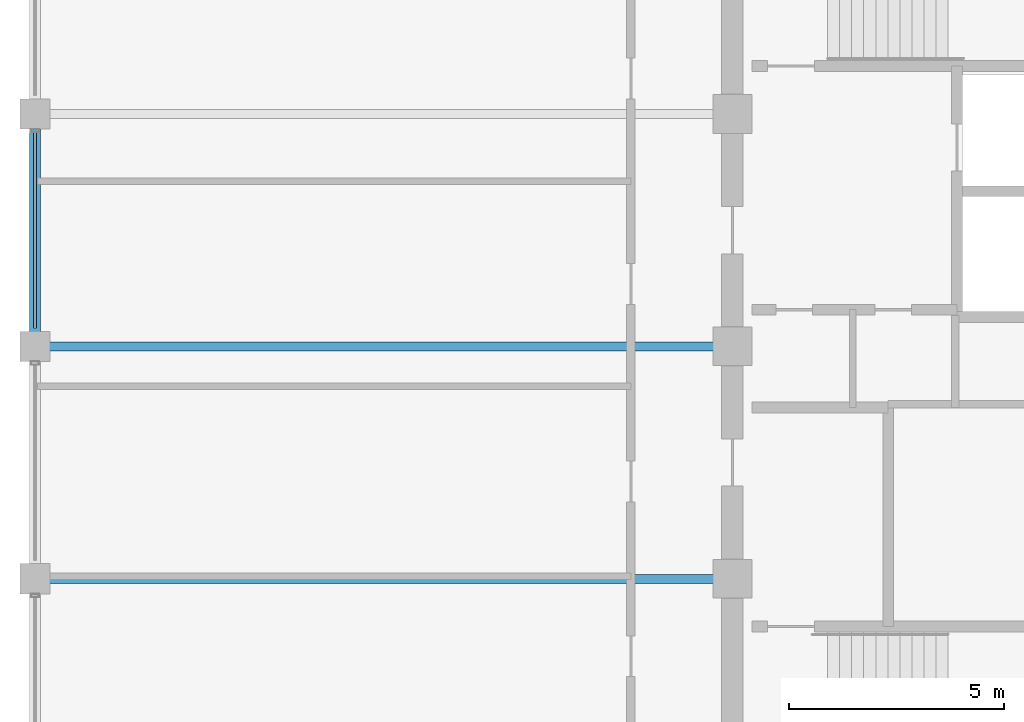
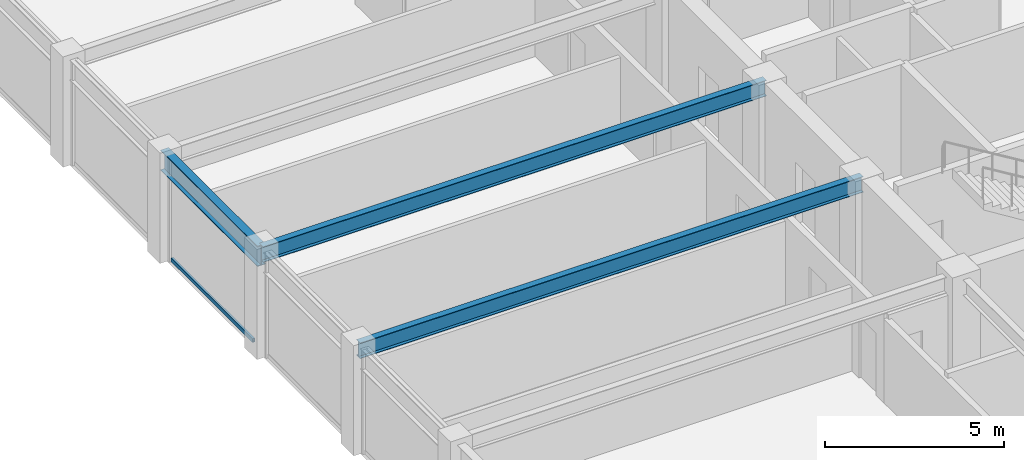
# One storey, part 9 of 31: 3 beams, 1 member, 1 element without a shape of its own.
"""IFC4 building model written with IfcOpenShell, lengths in metres."""

import ifcopenshell
import ifcopenshell.guid

model = None  # the IFC model being written
_history = None  # IfcOwnerHistory: only IFC2X3 demands one
_inside = {}  # id of a spatial element -> (the spatial element, [elements in it])
_under = {}  # id of a project, library or spatial element -> (it, [spatial elements below it])
_declared = {}  # id of a project -> (the project, [libraries it declares])
_typed = {}  # id of a type object -> (the type object, [elements of that type])
_made_of = {}  # id of a material, layer set ... -> (it, [elements and type objects made of it])


def new_model(schema):
    """Start an empty IFC model of exactly this schema.

    Asked for "IFC4X3", IfcOpenShell would pick the latest addendum, in which some entities
    have other attributes; the version numbers below select the first issue.
    IFC2X3 requires an IfcOwnerHistory on every rooted entity: one is made here for all.
    """
    global model, _history
    if schema == "IFC4X3":
        model = ifcopenshell.file(schema_version=(4, 3, 0, 0))
    else:
        model = ifcopenshell.file(schema=schema)
    _inside.clear()
    _under.clear()
    _declared.clear()
    _typed.clear()
    _made_of.clear()
    _history = None
    if model.schema == "IFC2X3":
        org = make("IfcOrganization", Name="unknown")
        user = make(
            "IfcPersonAndOrganization",
            ThePerson=make("IfcPerson", FamilyName="unknown"),
            TheOrganization=org,
        )
        app = make(
            "IfcApplication",
            ApplicationDeveloper=org,
            Version="unknown",
            ApplicationFullName="unknown",
            ApplicationIdentifier="unknown",
        )
        _history = make(
            "IfcOwnerHistory",
            OwningUser=user,
            OwningApplication=app,
            ChangeAction="ADDED",
            CreationDate=0,
        )
    return model


def make(cls, **values):
    """One entity of the class cls with the attributes given. An attribute that is None is left unset."""
    return model.create_entity(
        cls, **{name: value for name, value in values.items() if value is not None}
    )


def rooted(cls, **values):
    """An entity with a GlobalId (a new one), such as an element, a storey or a relation."""
    return make(cls, GlobalId=ifcopenshell.guid.new(), OwnerHistory=_history, **values)


def si_unit(unit_type, name, prefix=None):
    """IfcSIUnit, for example si_unit("LENGTHUNIT", "METRE", prefix="MILLI")."""
    return make("IfcSIUnit", UnitType=unit_type, Prefix=prefix, Name=name)


def assignment(units):
    """IfcUnitAssignment: the units of a project."""
    return None if units is None else make("IfcUnitAssignment", Units=units)


def point(xyz):
    """IfcCartesianPoint."""
    return None if xyz is None else make("IfcCartesianPoint", Coordinates=xyz)


def direction(xyz):
    """IfcDirection."""
    return None if xyz is None else make("IfcDirection", DirectionRatios=xyz)


def frame(location, z_axis=None, x_axis=None):
    """IfcAxis2Placement3D, a coordinate frame: its origin and axes. An axis left out is left unset."""
    return make(
        "IfcAxis2Placement3D",
        Location=point(location),
        Axis=direction(z_axis),
        RefDirection=direction(x_axis),
    )


def frame_2d(location, x_axis=None):
    """IfcAxis2Placement2D, a coordinate frame in the plane: its origin and x axis."""
    return make(
        "IfcAxis2Placement2D", Location=point(location), RefDirection=direction(x_axis)
    )


def origin():
    """The frame at (0, 0, 0) with its axes left unset."""
    return frame((0.0, 0.0, 0.0))


def origin_2d():
    """The frame at (0, 0) in the plane with its x axis left unset."""
    return frame_2d((0.0, 0.0))


def place(relative_to, where):
    """IfcLocalPlacement: puts the frame where relative to a parent placement (None: the world)."""
    return make(
        "IfcLocalPlacement", PlacementRelTo=relative_to, RelativePlacement=where
    )


def context(
    kind, dimensions, precision=None, world=None, true_north=None, identifier=None
):
    """IfcGeometricRepresentationContext, for example the 3D "Model" context."""
    return make(
        "IfcGeometricRepresentationContext",
        ContextIdentifier=identifier,
        ContextType=kind,
        CoordinateSpaceDimension=dimensions,
        Precision=precision,
        WorldCoordinateSystem=world,
        TrueNorth=true_north,
    )


def subcontext(parent, identifier, kind, view, scale=None):
    """IfcGeometricRepresentationSubContext, for example "Body" below "Model"."""
    return make(
        "IfcGeometricRepresentationSubContext",
        ContextIdentifier=identifier,
        ContextType=kind,
        ParentContext=parent,
        TargetScale=scale,
        TargetView=view,
    )


def project(units=None, contexts=None):
    """IfcProject with its units and contexts."""
    return rooted(
        "IfcProject",
        Name="project",
        RepresentationContexts=contexts,
        UnitsInContext=assignment(units),
    )


def spatial(cls, under=None, at=None, **own):
    """A site, building, storey or space (cls), placed at a placement, below another one or the project."""
    s = rooted(cls, ObjectPlacement=at, **own)
    if under is not None:
        _under.setdefault(under.id(), (under, []))[1].append(s)
    return s


def profile(cls, at=None, kind="AREA", **sizes):
    """A parametric profile (cls). Its sizes go by their IFC names, for example OverallWidth=200.0."""
    return make(cls, ProfileType=kind, Position=at, **sizes)


def hollow_rectangle(**sizes):
    """IfcRectangleHollowProfileDef."""
    return profile("IfcRectangleHollowProfileDef", **sizes)


def i_section(**sizes):
    """IfcIShapeProfileDef."""
    return profile("IfcIShapeProfileDef", **sizes)


def extrude(swept, where, along, depth):
    """IfcExtrudedAreaSolid: the profile swept, set in the frame where, extruded along a direction by depth."""
    return make(
        "IfcExtrudedAreaSolid",
        SweptArea=swept,
        Position=where,
        ExtrudedDirection=direction(along),
        Depth=depth,
    )


def shape(context_of_items, identifier, shape_type, items):
    """IfcShapeRepresentation: the items that make up one representation, for example the "Body"."""
    return make(
        "IfcShapeRepresentation",
        ContextOfItems=context_of_items,
        RepresentationIdentifier=identifier,
        RepresentationType=shape_type,
        Items=items,
    )


def material(Name=None, Category=None):
    """IfcMaterial."""
    return make("IfcMaterial", Name=Name, Category=Category)


def layer(
    of_material, thickness, ventilated=None, Name=None, Category=None, Priority=None
):
    """IfcMaterialLayer: one layer of a wall or slab, of a material (None: an air gap)."""
    return make(
        "IfcMaterialLayer",
        Material=of_material,
        LayerThickness=thickness,
        IsVentilated=ventilated,
        Name=Name,
        Category=Category,
        Priority=Priority,
    )


def layer_set(layers, Name=None):
    """IfcMaterialLayerSet."""
    return make("IfcMaterialLayerSet", MaterialLayers=layers, LayerSetName=Name)


def material_profile(
    of_material, cross_section, Name=None, Category=None, Priority=None
):
    """IfcMaterialProfile: a cross section and its material."""
    return make(
        "IfcMaterialProfile",
        Name=Name,
        Material=of_material,
        Profile=cross_section,
        Priority=Priority,
        Category=Category,
    )


def profile_set(profiles, Name=None, composite=None):
    """IfcMaterialProfileSet."""
    return make(
        "IfcMaterialProfileSet",
        Name=Name,
        MaterialProfiles=profiles,
        CompositeProfile=composite,
    )


def made_of(thing, what):
    """Note that an element or type object is made of a material, layer set ...; save() writes the relation."""
    if what is not None:
        _made_of.setdefault(what.id(), (what, []))[1].append(thing)
    return thing


def type_object(cls, material=None, **own):
    """A type object (cls), such as IfcWallType, which elements share."""
    return made_of(rooted(cls, **own), material)


def element(
    cls,
    number,
    at=None,
    inside=None,
    cuts=None,
    type_object=None,
    material=None,
    context=None,
    identifier="Body",
    shape_type=None,
    held_by="IfcProductDefinitionShape",
    body=None,
    shapes=None,
    **own,
):
    """One element of the class cls, such as IfcWall. Its Tag is "e" and its number.

    at: its placement. inside: the storey or other place that contains it. cuts: it is an
    opening in that element (IfcRelVoidsElement). A single representation is given by context,
    identifier, shape_type and body (its items); several are given by shapes. held_by: the class
    of the entity that holds the representations. save() writes the other relations.
    """
    e = rooted(cls, Tag="e%d" % number, ObjectPlacement=at, **own)
    if body is not None:
        shapes = [shape(context, identifier, shape_type, body)]
    if shapes is not None:
        e.Representation = make(held_by, Representations=shapes)
    if inside is not None:
        _inside.setdefault(inside.id(), (inside, []))[1].append(e)
    if cuts is not None:
        rooted(
            "IfcRelVoidsElement", RelatingBuildingElement=cuts, RelatedOpeningElement=e
        )
    if type_object is not None:
        _typed.setdefault(type_object.id(), (type_object, []))[1].append(e)
    return made_of(e, material)


def aggregate(whole, parts):
    """IfcRelAggregates: a whole, such as a stair, and the parts it consists of."""
    return rooted("IfcRelAggregates", RelatingObject=whole, RelatedObjects=parts)


def save(model, path):
    """Write the relations noted so far, then the file.

    IfcRelAggregates (storeys below a building ...), IfcRelContainedInSpatialStructure (elements
    in a storey), IfcRelDefinesByType, IfcRelAssociatesMaterial and IfcRelDeclares: one each for
    every whole, place, type object, material and project.
    """
    for whole, parts in _under.values():
        aggregate(whole, parts)
    for where, things in _inside.values():
        rooted(
            "IfcRelContainedInSpatialStructure",
            RelatedElements=things,
            RelatingStructure=where,
        )
    for kind, things in _typed.values():
        rooted("IfcRelDefinesByType", RelatedObjects=things, RelatingType=kind)
    for what, things in _made_of.values():
        rooted("IfcRelAssociatesMaterial", RelatedObjects=things, RelatingMaterial=what)
    for by, libraries in _declared.values():
        rooted("IfcRelDeclares", RelatingContext=by, RelatedDefinitions=libraries)
    model.write(path)


model = new_model("IFC4")

# Units and contexts
model_context = context("Model", 3, precision=1e-05, world=origin(), true_north=direction((0.0, 1.0)))
body_context = subcontext(model_context, "Body", "Model", "MODEL_VIEW")
ifc_project = project(units=[si_unit("LENGTHUNIT", "METRE"), si_unit("AREAUNIT", "SQUARE_METRE"), si_unit("VOLUMEUNIT", "CUBIC_METRE"), si_unit("PLANEANGLEUNIT", "RADIAN"), si_unit("MASSUNIT", "GRAM", prefix="KILO")], contexts=[model_context])

# Site, building, storey
site_placement = place(None, origin())
site = spatial("IfcSite", under=ifc_project, at=site_placement, CompositionType="ELEMENT")
building_placement = place(site_placement, origin())
building = spatial("IfcBuilding", under=site, at=building_placement, Name="Surkhivell Harbour Commons", CompositionType="ELEMENT")
storey_placement = place(building_placement, frame((0.0, 0.0, 330.0)))
storey = spatial("IfcBuildingStorey", under=building, at=storey_placement, Name="L86", CompositionType="ELEMENT", Elevation=330.0)

# Beams
ifc_material_1 = material(Name="Steel S355", Category="steel")
ifc_material_profile_1 = material_profile(ifc_material_1, i_section(OverallWidth=0.2099609375, OverallDepth=0.537109375, WebThickness=0.0107421875, FlangeThickness=0.017333984375, at=origin_2d()), Name="UB533x210x101")
ifc_profile_set_1 = profile_set([ifc_material_profile_1], Name="Steel S355")
beam_type_1 = type_object("IfcBeamType", Name="BM-GRD-533B", PredefinedType="BEAM", material=ifc_profile_set_1)
for number, where, z_axis, x_axis, name in (
    (1, (-27.0, -5.39990234375, 3.301513671875), (1.0, 0.0, 0.0), (0.0, 1.0, 0.0), "L86 Floor Girder (-27.0,-5.4)"),
    (2, (-27.0, 0.0, 3.301513671875), (1.0, 0.0, 0.0), (0.0, 1.0, 0.0), "L86 Floor Girder (-27.0,0.0)"),
):
    element("IfcBeam", number, at=place(storey_placement, frame(where, z_axis=z_axis, x_axis=x_axis)), inside=storey, type_object=beam_type_1, Name=name, PredefinedType="BEAM", context=body_context, shape_type="SweptSolid", body=[
        extrude(i_section(OverallWidth=0.2099609375, OverallDepth=0.537109375, WebThickness=0.0107421875, FlangeThickness=0.017333984375, at=origin_2d()), origin(), (0.0, 0.0, 1.0), 16.199951171875),
    ])
ifc_material_profile_2 = material_profile(ifc_material_1, i_section(OverallWidth=0.256103515625, OverallDepth=0.693115234375, WebThickness=0.014404296875, FlangeThickness=0.023681640625, at=origin_2d()), Name="UB686x254x170")
ifc_profile_set_2 = profile_set([ifc_material_profile_2], Name="Steel S355")
beam_type_2 = type_object("IfcBeamType", Name="BM-SPN-686", PredefinedType="SPANDREL", material=ifc_profile_set_2)
beam_placement = place(storey_placement, frame((-27.0, 0.0, 3.223388671875), z_axis=(0.0, 1.0, 0.0), x_axis=(-1.0, 0.0, 0.0)))
element("IfcBeam", 3, at=beam_placement, inside=storey, type_object=beam_type_2, Name="L86 Tube Spandrel (-27.0,0.0)", PredefinedType="SPANDREL", context=body_context, shape_type="SweptSolid", body=[
    extrude(i_section(OverallWidth=0.256103515625, OverallDepth=0.693115234375, WebThickness=0.014404296875, FlangeThickness=0.023681640625, at=origin_2d()), origin(), (0.0, 0.0, 1.0), 5.39990234375),
])

# Curtain wall, member
ifc_material_2 = material(Name="Anodised pale-metal aluminium and insulated glazing", Category="aluminium")
ifc_layer = layer(ifc_material_2, 0.175048828125)
ifc_layer_set = layer_set([ifc_layer], Name="Anodised pale-metal aluminium and insulated glazing")
curtain_wall_type = type_object("IfcCurtainWallType", Name="CW-SYS-Z4", PredefinedType="NOTDEFINED", material=ifc_layer_set)
curtain_wall_placement = place(storey_placement, origin())
curtain_wall = element("IfcCurtainWall", 4, at=curtain_wall_placement, inside=storey, type_object=curtain_wall_type, Name="L86 Curtain Wall CW-L86-E12S1", PredefinedType="NOTDEFINED")
ifc_material_3 = material(Name="Champagne anodised aluminium alloy 6063-T6", Category="aluminium")
ifc_material_profile_3 = material_profile(ifc_material_3, hollow_rectangle(XDim=0.070068359375, YDim=0.1298828125, WallThickness=0.00341796875, at=origin_2d()), Name="ALU-TRAN-70x130")
ifc_profile_set_3 = profile_set([ifc_material_profile_3], Name="Champagne anodised aluminium alloy 6063-T6")
member_type = type_object("IfcMemberType", Name="CWT-130", PredefinedType="USERDEFINED", material=ifc_profile_set_3)
member_placement = place(storey_placement, frame((-27.0, 4.972900390625, 0.06494140625), z_axis=(0.0, -1.0, 0.0), x_axis=(1.0, 0.0, 0.0)))
member = element("IfcMember", 5, at=member_placement, type_object=member_type, Name="CW-Z4 transom 4.1", ObjectType="TRANSOM", PredefinedType="USERDEFINED", context=body_context, shape_type="SweptSolid", body=[
    extrude(hollow_rectangle(XDim=0.070068359375, YDim=0.1298828125, WallThickness=0.00341796875, at=origin_2d()), origin(), (0.0, 0.0, 1.0), 4.5458984375),
])
aggregate(curtain_wall, [member])

save(model, "model.ifc")
